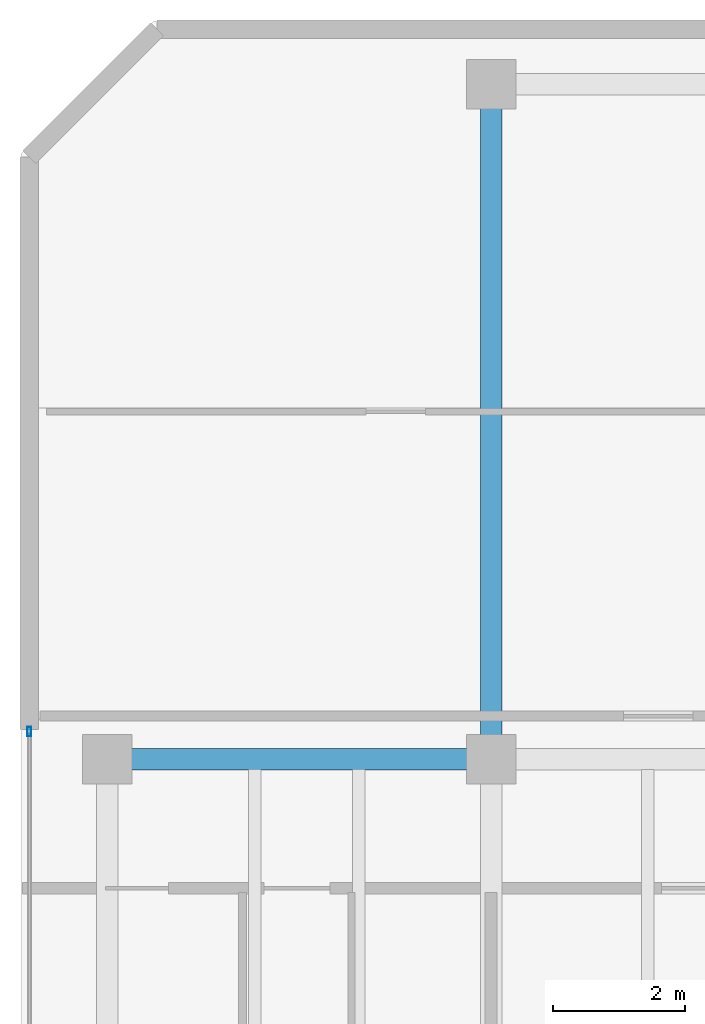
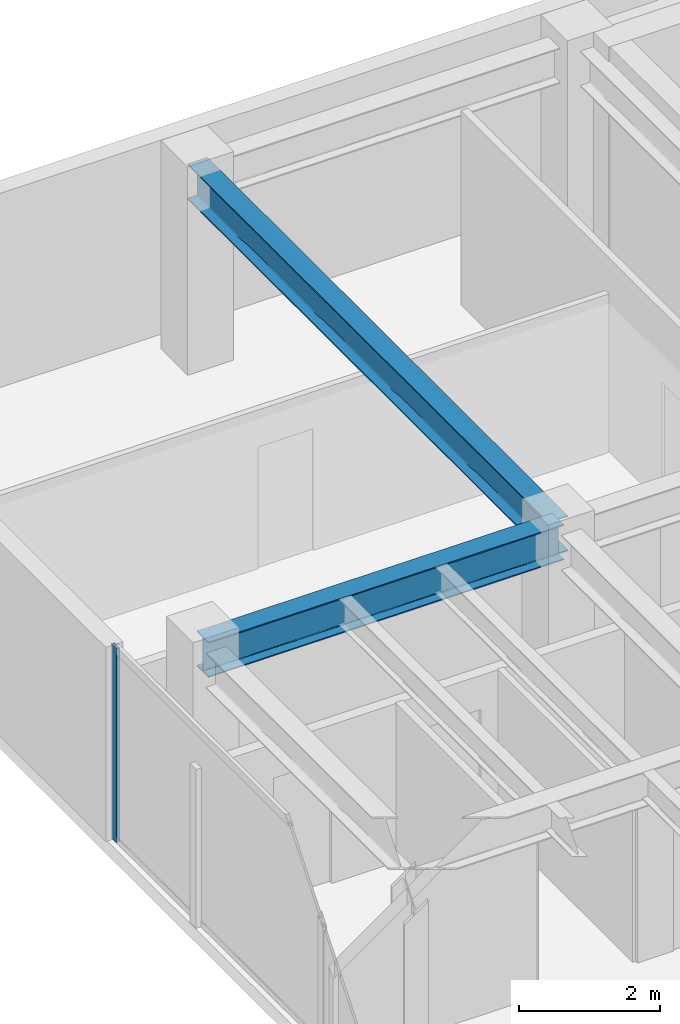
# One storey, part 10 of 17: 2 beams, 1 member, 1 element without a shape of its own.
"""IFC4 building model written with IfcOpenShell, lengths in metres."""

from ifc_helpers import new_model, si_unit, direction, frame, origin, origin_2d, place, context, subcontext, project, spatial, hollow_rectangle, i_section, extrude, material, layer, layer_set, material_profile, profile_set, type_object, element, aggregate, save


model = new_model("IFC4")

# Units and contexts
model_context = context("Model", 3, precision=1e-05, world=origin(), true_north=direction((0.0, 1.0)))
body_context = subcontext(model_context, "Body", "Model", "MODEL_VIEW")
ifc_project = project(units=[si_unit("LENGTHUNIT", "METRE"), si_unit("AREAUNIT", "SQUARE_METRE"), si_unit("VOLUMEUNIT", "CUBIC_METRE"), si_unit("PLANEANGLEUNIT", "RADIAN"), si_unit("MASSUNIT", "GRAM", prefix="KILO")], contexts=[model_context])

# Site, building, storey
site_placement = place(None, origin())
site = spatial("IfcSite", under=ifc_project, at=site_placement, CompositionType="ELEMENT")
building_placement = place(site_placement, origin())
building = spatial("IfcBuilding", under=site, at=building_placement, Name="Kravanh Interchange Tower", CompositionType="ELEMENT")
storey_placement = place(building_placement, frame((0.0, 0.0, 293.10009765625)))
storey = spatial("IfcBuildingStorey", under=building, at=storey_placement, Name="L72", CompositionType="ELEMENT", Elevation=293.10009765625)

# Curtain wall, member
ifc_material_1 = material(Name="Anodised Bronze Aluminium", Category="aluminium")
ifc_layer = layer(ifc_material_1, 0.179931640625)
ifc_layer_set = layer_set([ifc_layer], Name="Unitised Curtain Wall System CW-HTL Luxury Hotel")
curtain_wall_type = type_object("IfcCurtainWallType", Name="Unitised Curtain Wall System CW-HTL Luxury Hotel", PredefinedType="NOTDEFINED", material=ifc_layer_set)
curtain_wall_placement = place(storey_placement, origin())
curtain_wall = element("IfcCurtainWall", 1, at=curtain_wall_placement, inside=storey, type_object=curtain_wall_type, Name="L72 Unitised Curtain Wall CW-L72-01", PredefinedType="NOTDEFINED")
ifc_material_2 = material(Name="Anodised Bronze Aluminium", Category="aluminium")
ifc_material_profile_1 = material_profile(ifc_material_2, hollow_rectangle(XDim=0.06005859375, YDim=0.139892578125, WallThickness=0.00390625, at=origin_2d()), Name="ALU60X140X4")
ifc_profile_set_1 = profile_set([ifc_material_profile_1], Name="Anodised Bronze Aluminium")
member_type = type_object("IfcMemberType", Name="Curtain Wall Mullion ALU60X140X4 Bronze", PredefinedType="MULLION", material=ifc_profile_set_1)
member_placement = place(storey_placement, frame((31.6201171875, 37.77001953125, 0.0), z_axis=(0.0, 0.0, 1.0), x_axis=(-1.0, 0.0, 0.0)))
member = element("IfcMember", 2, at=member_placement, type_object=member_type, Name="CW-HTL mullion 4", PredefinedType="MULLION", context=body_context, shape_type="SweptSolid", body=[
    extrude(hollow_rectangle(XDim=0.06005859375, YDim=0.139892578125, WallThickness=0.00390625, at=origin_2d()), origin(), (0.0, 0.0, 1.0), 3.349853515625),
])
aggregate(curtain_wall, [member])

# Beams
ifc_material_3 = material(Name="Structural Steel S355", Category="steel")
ifc_material_profile_2 = material_profile(ifc_material_3, i_section(OverallWidth=0.323974609375, OverallDepth=0.611083984375, WebThickness=0.0126953125, FlangeThickness=0.01904296875, FilletRadius=0.02197265625, at=origin_2d()), Name="W24X104")
ifc_profile_set_2 = profile_set([ifc_material_profile_2], Name="Structural Steel S355")
beam_type = type_object("IfcBeamType", Name="Floor Beam W24X104 Structural Steel S355", PredefinedType="BEAM", material=ifc_profile_set_2)
beam_1_placement = place(storey_placement, frame((38.60009765625, 37.35009765625, 3.04443359375), z_axis=(-1.0, 0.0, 0.0), x_axis=(0.0, -1.0, 0.0)))
element("IfcBeam", 3, at=beam_1_placement, inside=storey, type_object=beam_type, Name="L72 Primary Floor Girder 46", PredefinedType="BEAM", context=body_context, shape_type="SweptSolid", body=[
    extrude(i_section(OverallWidth=0.323974609375, OverallDepth=0.611083984375, WebThickness=0.0126953125, FlangeThickness=0.01904296875, FilletRadius=0.02197265625, at=origin_2d()), origin(), (0.0, 0.0, 1.0), 5.800048828125),
])
beam_2_placement = place(storey_placement, frame((38.60009765625, 37.35009765625, 3.04443359375), z_axis=(0.0, 1.0, 0.0), x_axis=(-1.0, 0.0, 0.0)))
element("IfcBeam", 4, at=beam_2_placement, inside=storey, type_object=beam_type, Name="L72 Primary Floor Girder 47", PredefinedType="BEAM", context=body_context, shape_type="SweptSolid", body=[
    extrude(i_section(OverallWidth=0.323974609375, OverallDepth=0.611083984375, WebThickness=0.0126953125, FlangeThickness=0.01904296875, FilletRadius=0.02197265625, at=origin_2d()), origin(), (0.0, 0.0, 1.0), 10.199951171875),
])

save(model, "model.ifc")
